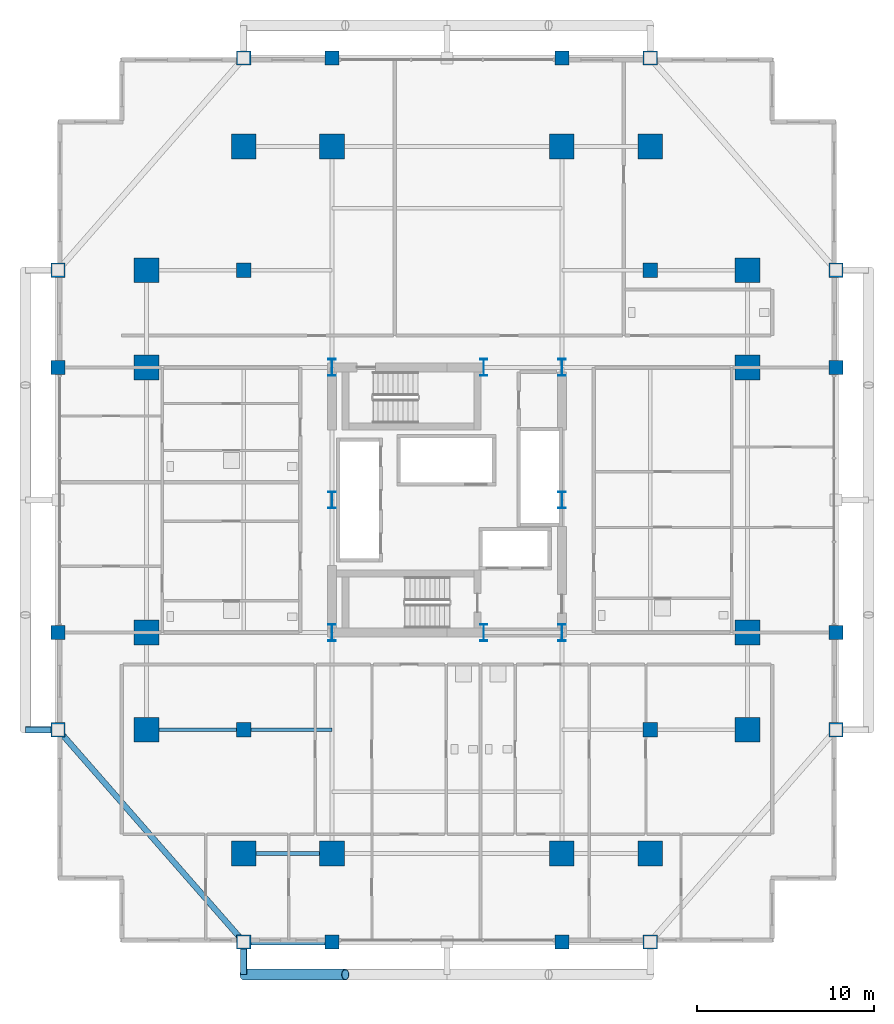
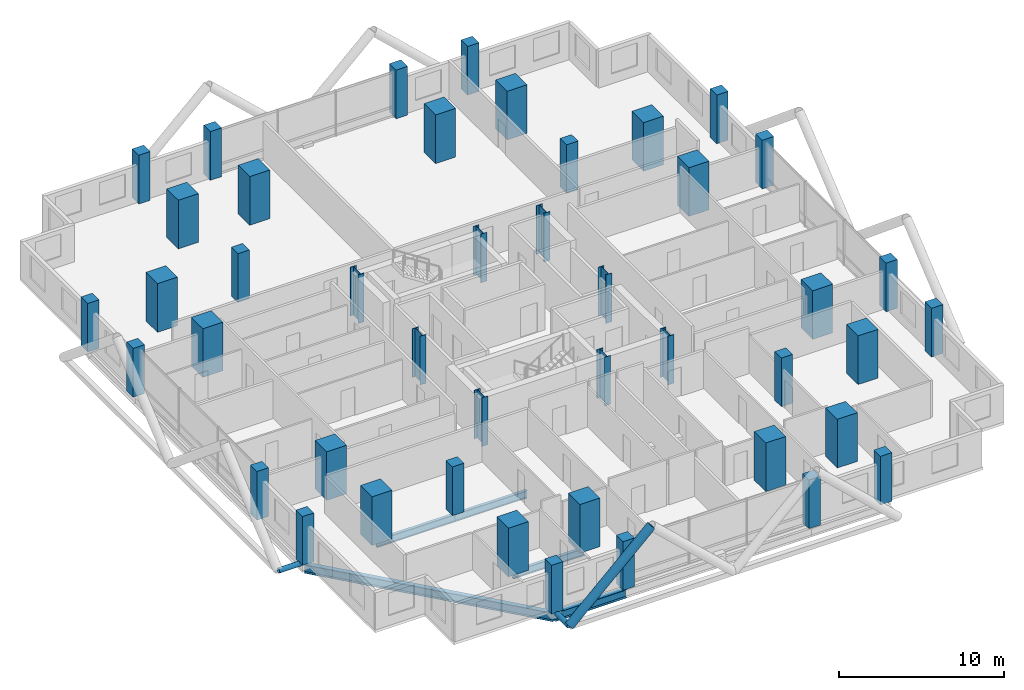
# One storey, part 1 of 27: 44 columns, 5 beams, 3 members.
"""IFC4 building model written with IfcOpenShell, lengths in metres."""

from ifc_helpers import new_model, si_unit, direction, frame, origin, origin_2d, place, context, subcontext, project, spatial, rectangle, hollow_circle, i_section, extrude, material, material_profile, profile_set, type_object, element, save


model = new_model("IFC4")

# Units and contexts
model_context = context("Model", 3, precision=1e-05, world=origin(), true_north=direction((0.0, 1.0)))
body_context = subcontext(model_context, "Body", "Model", "MODEL_VIEW")
ifc_project = project(units=[si_unit("LENGTHUNIT", "METRE"), si_unit("AREAUNIT", "SQUARE_METRE"), si_unit("VOLUMEUNIT", "CUBIC_METRE"), si_unit("PLANEANGLEUNIT", "RADIAN"), si_unit("MASSUNIT", "GRAM", prefix="KILO")], contexts=[model_context])

# Site, building, storey
site_placement = place(None, origin())
site = spatial("IfcSite", under=ifc_project, at=site_placement, CompositionType="ELEMENT")
building_placement = place(site_placement, origin())
building = spatial("IfcBuilding", under=site, at=building_placement, Name="Barlavira Tower and Art Museum", CompositionType="ELEMENT")
storey_placement = place(building_placement, frame((0.0, 0.0, 50.39990234375)))
storey = spatial("IfcBuildingStorey", under=building, at=storey_placement, Name="L11", CompositionType="ELEMENT", Elevation=50.39990234375)

# Columns
ifc_material_1 = material(Name="Steel S355", Category="steel")
ifc_material_profile_1 = material_profile(ifc_material_1, i_section(OverallWidth=0.419921875, OverallDepth=0.9599609375, WebThickness=0.02197265625, FlangeThickness=0.033935546875, at=origin_2d()), Name="W920x387.0")
ifc_profile_set_1 = profile_set([ifc_material_profile_1], Name="Steel S355")
column_type_1 = type_object("IfcColumnType", Name="Core Composite Column W920x387 Steel S355", PredefinedType="COLUMN", material=ifc_profile_set_1)
for number, where, z_axis, x_axis, name in (
    (1, (-6.5, -7.5, 0.0), (0.0, 0.0, 1.0), (1.0, 0.0, 0.0), "L11 Column CC-L11-C1"),
    (2, (2.080078125, -7.5, 0.0), (0.0, 0.0, 1.0), (1.0, 0.0, 0.0), "L11 Column CC-L11-C2"),
    (3, (6.5, -7.5, 0.0), (0.0, 0.0, 1.0), (1.0, 0.0, 0.0), "L11 Column CC-L11-C3"),
    (4, (-6.5, 0.0, 0.0), (0.0, 0.0, 1.0), (1.0, 0.0, 0.0), "L11 Column CC-L11-C4"),
    (5, (6.5, 0.0, 0.0), (0.0, 0.0, 1.0), (1.0, 0.0, 0.0), "L11 Column CC-L11-C5"),
    (6, (-6.5, 7.5, 0.0), (0.0, 0.0, 1.0), (1.0, 0.0, 0.0), "L11 Column CC-L11-C6"),
    (7, (2.080078125, 7.5, 0.0), (0.0, 0.0, 1.0), (1.0, 0.0, 0.0), "L11 Column CC-L11-C7"),
    (8, (6.5, 7.5, 0.0), (0.0, 0.0, 1.0), (1.0, 0.0, 0.0), "L11 Column CC-L11-C8"),
):
    element("IfcColumn", number, at=place(storey_placement, frame(where, z_axis=z_axis, x_axis=x_axis)), inside=storey, type_object=column_type_1, Name=name, PredefinedType="COLUMN", context=body_context, shape_type="SweptSolid", body=[
        extrude(i_section(OverallWidth=0.419921875, OverallDepth=0.9599609375, WebThickness=0.02197265625, FlangeThickness=0.033935546875, at=origin_2d()), origin(), (0.0, 0.0, 1.0), 3.60009765625),
    ])
ifc_material_2 = material(Name="Concrete C60", Category="concrete")
ifc_material_profile_2 = material_profile(ifc_material_2, rectangle(XDim=1.39990234375, YDim=1.39990234375, at=origin_2d()), Name="RC-MCOL 1400x1400")
ifc_profile_set_2 = profile_set([ifc_material_profile_2], Name="Concrete C60")
column_type_2 = type_object("IfcColumnType", Name="Perimeter Mega Column 1400x1400 Concrete C60", PredefinedType="USERDEFINED", material=ifc_profile_set_2)
for number, where, z_axis, x_axis, name in (
    (9, (-11.5, -20.0, 0.0), (0.0, 0.0, 1.0), (1.0, 0.0, 0.0), "L11 Column MC-L11-M01"),
    (10, (-6.5, -20.0, 0.0), (0.0, 0.0, 1.0), (1.0, 0.0, 0.0), "L11 Column MC-L11-M02"),
    (11, (6.5, -20.0, 0.0), (0.0, 0.0, 1.0), (1.0, 0.0, 0.0), "L11 Column MC-L11-M03"),
    (12, (11.5, -20.0, 0.0), (0.0, 0.0, 1.0), (1.0, 0.0, 0.0), "L11 Column MC-L11-M04"),
    (13, (17.0, -13.0, 0.0), (0.0, 0.0, 1.0), (1.0, 0.0, 0.0), "L11 Column MC-L11-M05"),
    (14, (17.0, -7.5, 0.0), (0.0, 0.0, 1.0), (1.0, 0.0, 0.0), "L11 Column MC-L11-M06"),
    (15, (17.0, 7.5, 0.0), (0.0, 0.0, 1.0), (1.0, 0.0, 0.0), "L11 Column MC-L11-M07"),
    (16, (17.0, 13.0, 0.0), (0.0, 0.0, 1.0), (1.0, 0.0, 0.0), "L11 Column MC-L11-M08"),
    (17, (11.5, 20.0, 0.0), (0.0, 0.0, 1.0), (1.0, 0.0, 0.0), "L11 Column MC-L11-M09"),
    (18, (6.5, 20.0, 0.0), (0.0, 0.0, 1.0), (1.0, 0.0, 0.0), "L11 Column MC-L11-M10"),
    (19, (-6.5, 20.0, 0.0), (0.0, 0.0, 1.0), (1.0, 0.0, 0.0), "L11 Column MC-L11-M11"),
    (20, (-11.5, 20.0, 0.0), (0.0, 0.0, 1.0), (1.0, 0.0, 0.0), "L11 Column MC-L11-M12"),
    (21, (-17.0, 13.0, 0.0), (0.0, 0.0, 1.0), (1.0, 0.0, 0.0), "L11 Column MC-L11-M13"),
    (22, (-17.0, 7.5, 0.0), (0.0, 0.0, 1.0), (1.0, 0.0, 0.0), "L11 Column MC-L11-M14"),
    (23, (-17.0, -7.5, 0.0), (0.0, 0.0, 1.0), (1.0, 0.0, 0.0), "L11 Column MC-L11-M15"),
    (24, (-17.0, -13.0, 0.0), (0.0, 0.0, 1.0), (1.0, 0.0, 0.0), "L11 Column MC-L11-M16"),
):
    element("IfcColumn", number, at=place(storey_placement, frame(where, z_axis=z_axis, x_axis=x_axis)), inside=storey, type_object=column_type_2, Name=name, ObjectType="MEGA COLUMN", PredefinedType="USERDEFINED", context=body_context, shape_type="SweptSolid", body=[
        extrude(rectangle(XDim=1.39990234375, YDim=1.39990234375, at=origin_2d()), origin(), (0.0, 0.0, 1.0), 3.60009765625),
    ])
ifc_material_3 = material(Name="Concrete C50", Category="concrete")
ifc_material_profile_3 = material_profile(ifc_material_3, rectangle(XDim=0.800048828125, YDim=0.800048828125, at=origin_2d()), Name="RC-COL 800x800")
ifc_profile_set_3 = profile_set([ifc_material_profile_3], Name="Concrete C50")
column_type_3 = type_object("IfcColumnType", Name="Podium Frame Column 800x800 Concrete C50", PredefinedType="COLUMN", material=ifc_profile_set_3)
for number, where, z_axis, x_axis, name in (
    (25, (-11.5, -13.0, 0.0), (0.0, 0.0, 1.0), (1.0, 0.0, 0.0), "L11 Column CI-L11-I1"),
    (26, (11.5, -13.0, 0.0), (0.0, 0.0, 1.0), (1.0, 0.0, 0.0), "L11 Column CI-L11-I2"),
    (27, (-11.5, 13.0, 0.0), (0.0, 0.0, 1.0), (1.0, 0.0, 0.0), "L11 Column CI-L11-I3"),
    (28, (11.5, 13.0, 0.0), (0.0, 0.0, 1.0), (1.0, 0.0, 0.0), "L11 Column CI-L11-I4"),
    (29, (-11.5, -25.0, 0.0), (0.0, 0.0, 1.0), (1.0, 0.0, 0.0), "L11 Column CZ1-L11-N01"),
    (30, (-6.5, -25.0, 0.0), (0.0, 0.0, 1.0), (1.0, 0.0, 0.0), "L11 Column CZ1-L11-N02"),
    (31, (6.5, -25.0, 0.0), (0.0, 0.0, 1.0), (1.0, 0.0, 0.0), "L11 Column CZ1-L11-N02B"),
    (32, (11.5, -25.0, 0.0), (0.0, 0.0, 1.0), (1.0, 0.0, 0.0), "L11 Column CZ1-L11-N03"),
    (33, (-22.0, -13.0, 0.0), (0.0, 0.0, 1.0), (1.0, 0.0, 0.0), "L11 Column CZ1-L11-N04"),
    (34, (-22.0, -7.5, 0.0), (0.0, 0.0, 1.0), (1.0, 0.0, 0.0), "L11 Column CZ1-L11-N05"),
    (35, (-22.0, 7.5, 0.0), (0.0, 0.0, 1.0), (1.0, 0.0, 0.0), "L11 Column CZ1-L11-N05B"),
    (36, (-22.0, 13.0, 0.0), (0.0, 0.0, 1.0), (1.0, 0.0, 0.0), "L11 Column CZ1-L11-N06"),
    (37, (-11.5, 25.0, 0.0), (0.0, 0.0, 1.0), (1.0, 0.0, 0.0), "L11 Column CZ1-L11-N07"),
    (38, (-6.5, 25.0, 0.0), (0.0, 0.0, 1.0), (1.0, 0.0, 0.0), "L11 Column CZ1-L11-N08"),
    (39, (6.5, 25.0, 0.0), (0.0, 0.0, 1.0), (1.0, 0.0, 0.0), "L11 Column CZ1-L11-N08B"),
    (40, (11.5, 25.0, 0.0), (0.0, 0.0, 1.0), (1.0, 0.0, 0.0), "L11 Column CZ1-L11-N09"),
    (41, (22.0, -13.0, 0.0), (0.0, 0.0, 1.0), (1.0, 0.0, 0.0), "L11 Column CZ1-L11-N10"),
    (42, (22.0, -7.5, 0.0), (0.0, 0.0, 1.0), (1.0, 0.0, 0.0), "L11 Column CZ1-L11-N11"),
    (43, (22.0, 7.5, 0.0), (0.0, 0.0, 1.0), (1.0, 0.0, 0.0), "L11 Column CZ1-L11-N11B"),
    (44, (22.0, 13.0, 0.0), (0.0, 0.0, 1.0), (1.0, 0.0, 0.0), "L11 Column CZ1-L11-N12"),
):
    element("IfcColumn", number, at=place(storey_placement, frame(where, z_axis=z_axis, x_axis=x_axis)), inside=storey, type_object=column_type_3, Name=name, PredefinedType="COLUMN", context=body_context, shape_type="SweptSolid", body=[
        extrude(rectangle(XDim=0.800048828125, YDim=0.800048828125, at=origin_2d()), origin(), (0.0, 0.0, 1.0), 3.60009765625),
    ])

# Members
ifc_material_profile_4 = material_profile(ifc_material_1, hollow_circle(Radius=0.304931640625, WallThickness=0.028076171875, at=origin_2d()), Name="CHS 610.0x28.0")
ifc_profile_set_4 = profile_set([ifc_material_profile_4], Name="Steel S355")
member_type_1 = type_object("IfcMemberType", Name="Pale-Metal Exoskeleton Diagrid Tube CHS 610x28 Steel S355", PredefinedType="BRACE", material=ifc_profile_set_4)
member_placement = place(storey_placement, frame((-11.5, -26.85009765625, -0.119873046875), z_axis=(0.728950095515, 0.0, 0.684566839869), x_axis=(0.0, 1.0, 0.0)))
element("IfcMember", 45, at=member_placement, inside=storey, type_object=member_type_1, Name="L11 Exoskeleton Diagrid Tube S", PredefinedType="BRACE", context=body_context, shape_type="SweptSolid", body=[
    extrude(hollow_circle(Radius=0.304931640625, WallThickness=0.028076171875, at=origin_2d()), origin(), (0.0, 0.0, 1.0), 7.887939453125),
])
ifc_material_profile_5 = material_profile(ifc_material_1, hollow_circle(Radius=0.177734375, WallThickness=0.01611328125, at=origin_2d()), Name="CHS 355.6x16.0")
ifc_profile_set_5 = profile_set([ifc_material_profile_5], Name="Steel S355")
member_type_2 = type_object("IfcMemberType", Name="Pale-Metal Exoskeleton Tie Strut CHS 356x16 Steel S355", PredefinedType="STRUT", material=ifc_profile_set_5)
for number, where, z_axis, x_axis, name in (
    (46, (-11.5, -26.85009765625, -0.119873046875), (0.0, 1.0, 0.0), (-1.0, 0.0, 0.0), "L11 Exoskeleton Tie Strut S1"),
    (47, (-23.85009765625, -13.0, -0.119873046875), (1.0, 0.0, 0.0), (0.0, 1.0, 0.0), "L11 Exoskeleton Tie Strut W1"),
):
    element("IfcMember", number, at=place(storey_placement, frame(where, z_axis=z_axis, x_axis=x_axis)), inside=storey, type_object=member_type_2, Name=name, PredefinedType="STRUT", context=body_context, shape_type="SweptSolid", body=[
        extrude(hollow_circle(Radius=0.177734375, WallThickness=0.01611328125, at=origin_2d()), origin(), (0.0, 0.0, 1.0), 1.85009765625),
    ])

# Beams
ifc_material_profile_6 = material_profile(ifc_material_1, i_section(OverallWidth=0.327880859375, OverallDepth=0.62890625, WebThickness=0.013916015625, FlangeThickness=0.021484375, at=origin_2d()), Name="W610x174.0")
ifc_profile_set_6 = profile_set([ifc_material_profile_6], Name="Steel S355")
beam_type_1 = type_object("IfcBeamType", Name="Perimeter Spandrel Edge Beam W610x174 Steel S355", PredefinedType="SPANDREL", material=ifc_profile_set_6)
beam_1_placement = place(storey_placement, frame((-11.5, -25.0, -0.534423828125), z_axis=(1.0, 0.0, 0.0), x_axis=(0.0, 1.0, 0.0)))
element("IfcBeam", 48, at=beam_1_placement, inside=storey, type_object=beam_type_1, Name="L11 Spandrel 1", PredefinedType="SPANDREL", context=body_context, shape_type="SweptSolid", body=[
    extrude(i_section(OverallWidth=0.327880859375, OverallDepth=0.62890625, WebThickness=0.013916015625, FlangeThickness=0.021484375, at=origin_2d()), origin(), (0.0, 0.0, 1.0), 5.0),
])
beam_2_placement = place(storey_placement, frame((-22.0, -13.0, -0.534423828125), z_axis=(0.658504607869, -0.752576694707, 0.0), x_axis=(0.752576694707, 0.658504607869, 0.0)))
element("IfcBeam", 49, at=beam_2_placement, inside=storey, type_object=beam_type_1, Name="L11 Spandrel 16", PredefinedType="SPANDREL", context=body_context, shape_type="SweptSolid", body=[
    extrude(i_section(OverallWidth=0.327880859375, OverallDepth=0.62890625, WebThickness=0.013916015625, FlangeThickness=0.021484375, at=origin_2d()), origin(), (0.0, 0.0, 1.0), 15.9453125),
])
ifc_material_profile_7 = material_profile(ifc_material_1, i_section(OverallWidth=0.214111328125, OverallDepth=0.549072265625, WebThickness=0.0146484375, FlangeThickness=0.023681640625, at=origin_2d()), Name="W530x138.0")
ifc_profile_set_7 = profile_set([ifc_material_profile_7], Name="Steel S355")
beam_type_2 = type_object("IfcBeamType", Name="Zone 1 Primary Floor Girder W530x138 Steel S355", PredefinedType="BEAM", material=ifc_profile_set_7)
beam_3_placement = place(storey_placement, frame((-11.5, -20.0, -0.494384765625), z_axis=(1.0, 0.0, 0.0), x_axis=(0.0, 1.0, 0.0)))
element("IfcBeam", 50, at=beam_3_placement, inside=storey, type_object=beam_type_2, Name="L11 Girder M-S1", PredefinedType="BEAM", context=body_context, shape_type="SweptSolid", body=[
    extrude(i_section(OverallWidth=0.214111328125, OverallDepth=0.549072265625, WebThickness=0.0146484375, FlangeThickness=0.023681640625, at=origin_2d()), origin(), (0.0, 0.0, 1.0), 5.0),
])
beam_4_placement = place(storey_placement, frame((-17.0, -13.0, -0.494384765625), z_axis=(1.0, 0.0, 0.0), x_axis=(0.0, 1.0, 0.0)))
element("IfcBeam", 51, at=beam_4_placement, inside=storey, type_object=beam_type_2, Name="L11 Girder I-S1", PredefinedType="BEAM", context=body_context, shape_type="SweptSolid", body=[
    extrude(i_section(OverallWidth=0.214111328125, OverallDepth=0.549072265625, WebThickness=0.0146484375, FlangeThickness=0.023681640625, at=origin_2d()), origin(), (0.0, 0.0, 1.0), 5.5),
])
beam_5_placement = place(storey_placement, frame((-11.5, -13.0, -0.494384765625), z_axis=(1.0, 0.0, 0.0), x_axis=(0.0, 1.0, 0.0)))
element("IfcBeam", 52, at=beam_5_placement, inside=storey, type_object=beam_type_2, Name="L11 Girder I-S2", PredefinedType="BEAM", context=body_context, shape_type="SweptSolid", body=[
    extrude(i_section(OverallWidth=0.214111328125, OverallDepth=0.549072265625, WebThickness=0.0146484375, FlangeThickness=0.023681640625, at=origin_2d()), origin(), (0.0, 0.0, 1.0), 5.0),
])

save(model, "model.ifc")
